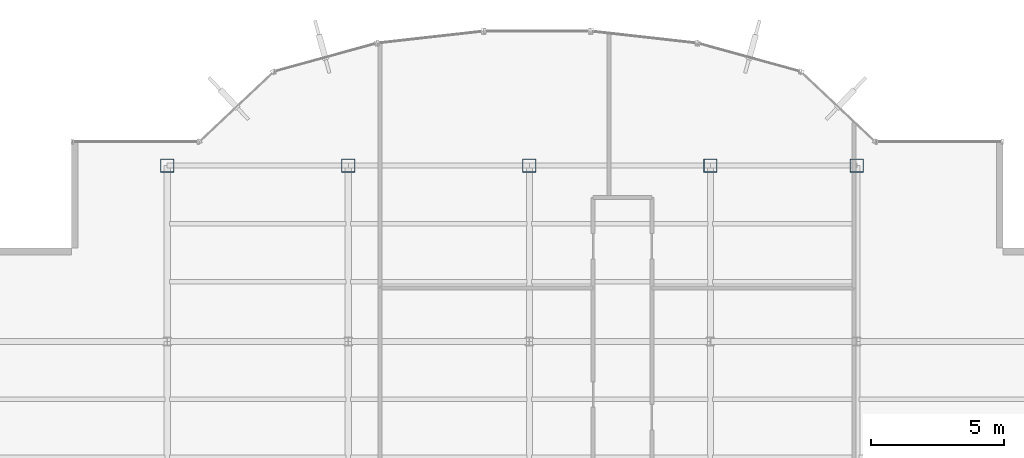
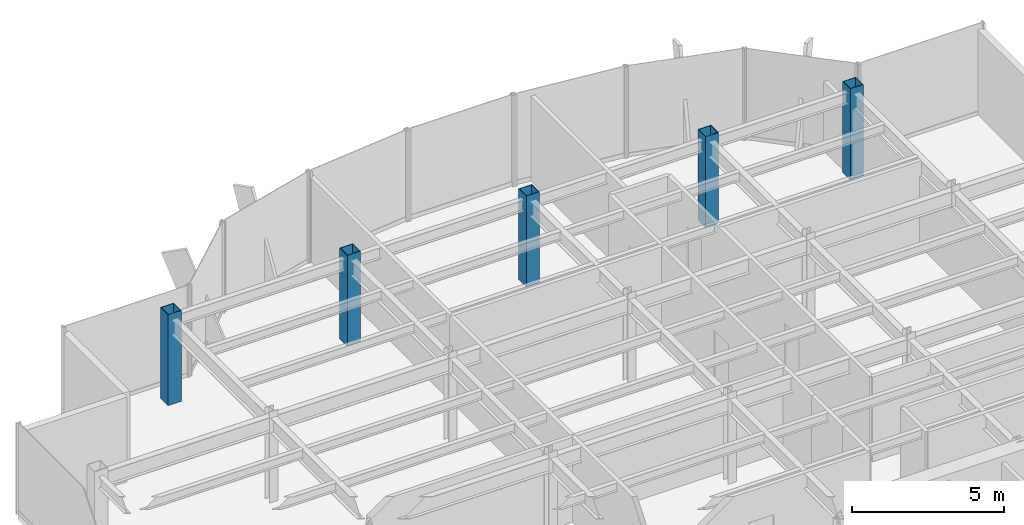
# One storey, part 2 of 22: 5 columns.
"""IFC4 building model written with IfcOpenShell, lengths in metres."""

from ifc_helpers import new_model, si_unit, derived_unit, direction, frame, origin, origin_2d, place, context, subcontext, project, spatial, hollow_rectangle, extrude, source, transform, mapped, material, material_profile, profile_set, type_object, element, save


model = new_model("IFC4")

# Units and contexts
model_context = context("Model", 3, precision=1e-05, world=origin(), true_north=direction((0.0, 1.0)))
body_context = subcontext(model_context, "Body", "Model", "MODEL_VIEW")
ifc_project = project(units=[si_unit("LENGTHUNIT", "METRE"), si_unit("AREAUNIT", "SQUARE_METRE"), si_unit("VOLUMEUNIT", "CUBIC_METRE"), si_unit("PLANEANGLEUNIT", "RADIAN"), si_unit("MASSUNIT", "GRAM", prefix="KILO"), derived_unit("THERMALTRANSMITTANCEUNIT", [(si_unit("POWERUNIT", "WATT"), 1), (si_unit("LENGTHUNIT", "METRE"), -2), (si_unit("THERMODYNAMICTEMPERATUREUNIT", "KELVIN"), -1)])], contexts=[model_context])

# Site, building, storey
site_placement = place(None, origin())
site = spatial("IfcSite", under=ifc_project, at=site_placement, CompositionType="ELEMENT")
building_placement = place(site_placement, origin())
building = spatial("IfcBuilding", under=site, at=building_placement, Name="Skarnbrae Concourse Arena and Tower", CompositionType="ELEMENT")
storey_placement = place(building_placement, frame((0.0, 0.0, 217.800048828125)))
storey = spatial("IfcBuildingStorey", under=building, at=storey_placement, Name="L56", CompositionType="ELEMENT", Elevation=217.800048828125)

# Columns
ifc_material = material(Name="Steel CSA G40.21 350W", Category="steel")
ifc_material_profile = material_profile(ifc_material, hollow_rectangle(XDim=0.5, YDim=0.5, WallThickness=0.02197265625, at=origin_2d()), Name="HSS500X500X22.0")
ifc_profile_set = profile_set([ifc_material_profile], Name="Steel CSA G40.21 350W")
column_type = type_object("IfcColumnType", Name="COL-TUBE-HSS500", PredefinedType="COLUMN", material=ifc_profile_set)
shared_shape = source(origin(), body_context, "Body", "SweptSolid", [
    extrude(hollow_rectangle(XDim=0.5, YDim=0.5, WallThickness=0.02197265625, at=origin_2d()), origin(), (0.0, 0.0, 1.0), 3.64990234375),
])
for number, where, z_axis, x_axis, name in (
    (1, (7.60009765625, 34.39990234375, 0.0), (0.0, 0.0, 1.0), (1.0, 0.0, 0.0), "L56 Tower column PC_02_05"),
    (2, (14.39990234375, 34.39990234375, 0.0), (0.0, 0.0, 1.0), (1.0, 0.0, 0.0), "L56 Tower column PC_03_05"),
    (3, (21.199951171875, 34.39990234375, 0.0), (0.0, 0.0, 1.0), (1.0, 0.0, 0.0), "L56 Tower column PC_04_05"),
    (4, (28.0, 34.39990234375, 0.0), (0.0, 0.0, 1.0), (1.0, 0.0, 0.0), "L56 Tower column PC_05_05"),
    (5, (33.5, 34.39990234375, 0.0), (0.0, 0.0, 1.0), (1.0, 0.0, 0.0), "L56 Tower column PC_06_05"),
):
    element("IfcColumn", number, at=place(storey_placement, frame(where, z_axis=z_axis, x_axis=x_axis)), inside=storey, type_object=column_type, Name=name, PredefinedType="COLUMN", context=body_context, shape_type="MappedRepresentation", body=[
        mapped(shared_shape, transform((0.0, 0.0, 0.0))),
    ])

save(model, "model.ifc")
